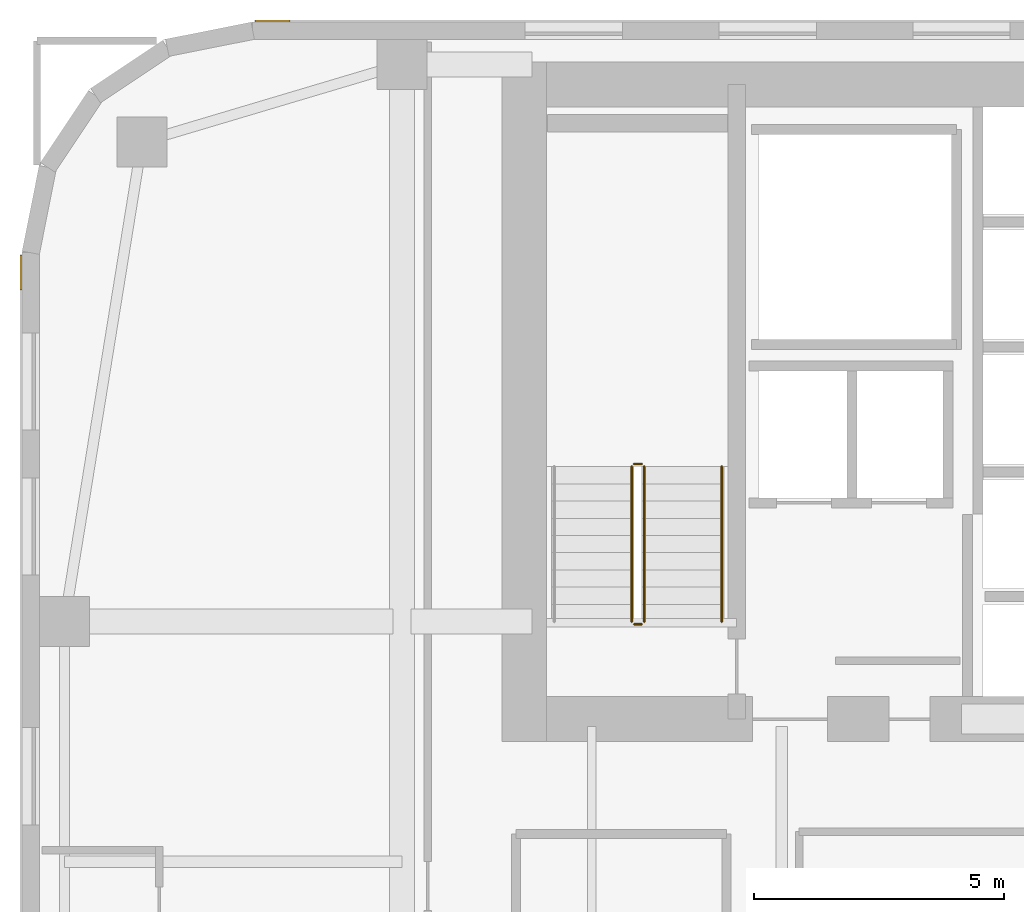
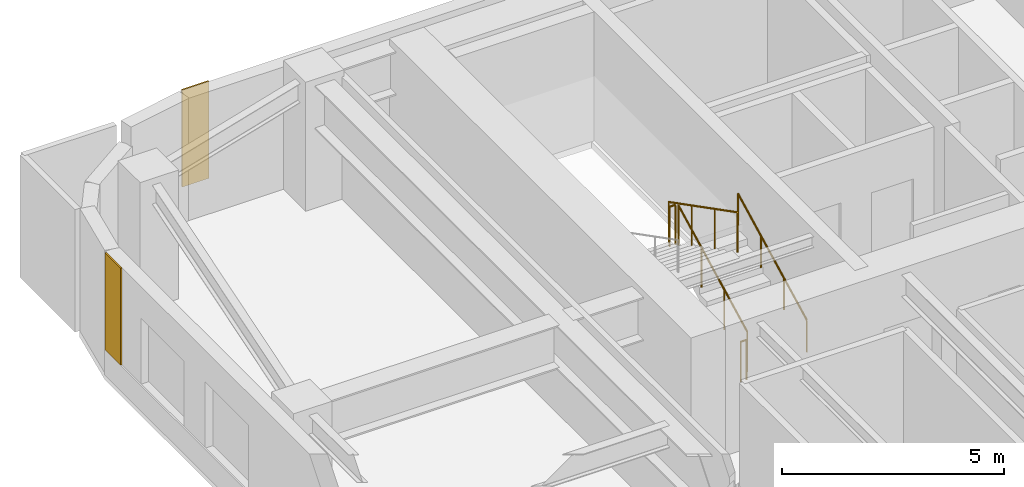
# One storey, part 23 of 25: 5 railings, 2 coverings.
"""IFC4 building model written with IfcOpenShell, lengths in metres."""

from ifc_helpers import new_model, si_unit, direction, frame, origin, origin_2d, place, context, subcontext, project, spatial, polyline, circle, outline, extrude, material, layer, layer_set, type_object, element, save


model = new_model("IFC4")

# Units and contexts
model_context = context("Model", 3, precision=1e-05, world=origin(), true_north=direction((0.0, 1.0)))
body_context = subcontext(model_context, "Body", "Model", "MODEL_VIEW")
ifc_project = project(units=[si_unit("LENGTHUNIT", "METRE"), si_unit("AREAUNIT", "SQUARE_METRE"), si_unit("VOLUMEUNIT", "CUBIC_METRE"), si_unit("PLANEANGLEUNIT", "RADIAN"), si_unit("MASSUNIT", "GRAM", prefix="KILO")], contexts=[model_context])

# Site, building, storey
site_placement = place(None, origin())
site = spatial("IfcSite", under=ifc_project, at=site_placement, CompositionType="ELEMENT")
building_placement = place(site_placement, origin())
building = spatial("IfcBuilding", under=site, at=building_placement, Name="Tolvann Quenvar Hotel", CompositionType="ELEMENT")
storey_placement = place(building_placement, frame((0.0, 0.0, 46.199951171875)))
storey = spatial("IfcBuildingStorey", under=building, at=storey_placement, Name="L10", CompositionType="ELEMENT", Elevation=46.199951171875)

# Coverings
ifc_material_1 = material(Name="Kiln-fired red architectural face brick cladding", Category="masonry")
ifc_layer = layer(ifc_material_1, 0.0400390625)
ifc_layer_set = layer_set([ifc_layer], Name="Kiln-fired red architectural face brick cladding")
covering_type = type_object("IfcCoveringType", Name="COV_CLAD_BRICK_40", PredefinedType="CLADDING", material=ifc_layer_set)
covering_1_placement = place(storey_placement, frame((0.0, 0.0, 0.699951171875)))
element("IfcCovering", 1, at=covering_1_placement, inside=storey, type_object=covering_type, Name="Brick Pier Cladding (L10-E18-P2)", PredefinedType="CLADDING", context=body_context, shape_type="SweptSolid", body=[
    extrude(outline(polyline([(5.3671875, 46.0), (4.667236328125, 46.0), (4.667236328125, 46.0400390625), (5.3671875, 46.0400390625), (5.3671875, 46.0)])), origin(), (0.0, 0.0, 1.0), 2.670166015625),
])
covering_2_placement = place(storey_placement, frame((0.0, 0.0, 0.699951171875)))
element("IfcCovering", 2, at=covering_2_placement, inside=storey, type_object=covering_type, Name="Brick Pier Cladding (L10-E23-P1)", PredefinedType="CLADDING", context=body_context, shape_type="SweptSolid", body=[
    extrude(outline(polyline([(0.0, 41.332763671875), (0.0, 40.6328125), (-0.0400390625, 40.6328125), (-0.0400390625, 41.332763671875), (0.0, 41.332763671875)])), origin(), (0.0, 0.0, 1.0), 2.670166015625),
])

# Railings
ifc_material_2 = material(Name="Brushed 316 stainless steel balustrade and handrail", Category="steel")
railing_type_1 = type_object("IfcRailingType", Name="GUARDRAIL", PredefinedType="GUARDRAIL", material=ifc_material_2)
railing_1_placement = place(storey_placement, frame((12.449951171875, 34.0, 0.177490234375)))
element("IfcRailing", 3, at=railing_1_placement, inside=storey, type_object=railing_type_1, Name="L10 ST-C1 stair guard 1", PredefinedType="GUARDRAIL", context=body_context, shape_type="SweptSolid", body=[
    extrude(circle(Radius=0.02392578125, at=origin_2d()), frame((0.0, 0.0, 1.09619140625), z_axis=(0.0, 0.88919353882, 0.457531256332), x_axis=(-1.0, 0.0, 0.0)), (0.0, 0.0, 1.0), 3.491943359375),
    extrude(circle(Radius=0.02099609375, at=origin_2d()), origin(), (0.0, 0.0, 1.0), 1.072021484375),
    extrude(circle(Radius=0.02099609375, at=origin_2d()), frame((0.0, 1.034912109375, 0.532470703125)), (0.0, 0.0, 1.0), 1.072021484375),
    extrude(circle(Radius=0.02099609375, at=origin_2d()), frame((0.0, 2.070068359375, 1.065185546875)), (0.0, 0.0, 1.0), 1.072021484375),
    extrude(circle(Radius=0.02099609375, at=origin_2d()), frame((0.0, 3.10498046875, 1.59765625)), (0.0, 0.0, 1.0), 1.072021484375),
])
railing_2_placement = place(storey_placement, frame((12.39990234375, 37.155029296875, 1.775146484375)))
element("IfcRailing", 4, at=railing_2_placement, inside=storey, type_object=railing_type_1, Name="L10 ST-C1 stair guard 2", PredefinedType="GUARDRAIL", context=body_context, shape_type="SweptSolid", body=[
    extrude(circle(Radius=0.02392578125, at=origin_2d()), frame((0.0, 0.0, 1.09619140625), z_axis=(-1.0, 0.0, 0.0), x_axis=(0.0, -1.0, 0.0)), (0.0, 0.0, 1.0), 0.14990234375),
    extrude(circle(Radius=0.02099609375, at=origin_2d()), origin(), (0.0, 0.0, 1.0), 1.072021484375),
    extrude(circle(Radius=0.02099609375, at=origin_2d()), frame((-0.14990234375, 0.0, 0.0)), (0.0, 0.0, 1.0), 1.072021484375),
])
railing_3_placement = place(storey_placement, frame((12.199951171875, 37.10498046875, 1.95263671875)))
element("IfcRailing", 5, at=railing_3_placement, inside=storey, type_object=railing_type_1, Name="L10 ST-C1 stair guard 3", PredefinedType="GUARDRAIL", context=body_context, shape_type="SweptSolid", body=[
    extrude(circle(Radius=0.02392578125, at=origin_2d()), frame((0.0, 0.0, 1.09619140625), z_axis=(0.0, -0.889221982265, 0.45747597342), x_axis=(1.0, 0.0, 0.0)), (0.0, 0.0, 1.0), 3.49169921875),
    extrude(circle(Radius=0.02099609375, at=origin_2d()), origin(), (0.0, 0.0, 1.0), 1.072021484375),
    extrude(circle(Radius=0.02099609375, at=origin_2d()), frame((0.0, -1.034912109375, 0.532470703125)), (0.0, 0.0, 1.0), 1.072021484375),
    extrude(circle(Radius=0.02099609375, at=origin_2d()), frame((0.0, -2.070068359375, 1.06494140625)), (0.0, 0.0, 1.0), 1.072021484375),
    extrude(circle(Radius=0.02099609375, at=origin_2d()), frame((0.0, -3.10498046875, 1.597412109375)), (0.0, 0.0, 1.0), 1.072021484375),
])
railing_4_placement = place(storey_placement, frame((12.39990234375, 33.949951171875, 0.0)))
element("IfcRailing", 6, at=railing_4_placement, inside=storey, type_object=railing_type_1, Name="L10 ST-C1 stair guard 4", PredefinedType="GUARDRAIL", context=body_context, shape_type="SweptSolid", body=[
    extrude(circle(Radius=0.02392578125, at=origin_2d()), frame((0.0, 0.0, 1.09619140625), z_axis=(-1.0, 0.0, 0.0), x_axis=(0.0, -1.0, 0.0)), (0.0, 0.0, 1.0), 0.14990234375),
    extrude(circle(Radius=0.02099609375, at=origin_2d()), origin(), (0.0, 0.0, 1.0), 1.072021484375),
    extrude(circle(Radius=0.02099609375, at=origin_2d()), frame((-0.14990234375, 0.0, 0.0)), (0.0, 0.0, 1.0), 1.072021484375),
])
railing_type_2 = type_object("IfcRailingType", Name="HANDRAIL", PredefinedType="HANDRAIL", material=ifc_material_2)
railing_5_placement = place(storey_placement, frame((14.0, 34.0, 0.177490234375)))
element("IfcRailing", 7, at=railing_5_placement, inside=storey, type_object=railing_type_2, Name="L10 ST-C1 stair handrail 1", PredefinedType="HANDRAIL", context=body_context, shape_type="SweptSolid", body=[
    extrude(circle(Radius=0.02392578125, at=origin_2d()), frame((0.0, 0.0, 0.8759765625), z_axis=(0.0, 0.88919353882, 0.457531256332), x_axis=(-1.0, 0.0, 0.0)), (0.0, 0.0, 1.0), 3.491943359375),
    extrude(circle(Radius=0.02099609375, at=origin_2d()), origin(), (0.0, 0.0, 1.0), 0.851806640625),
    extrude(circle(Radius=0.02099609375, at=origin_2d()), frame((0.0, 1.034912109375, 0.532470703125)), (0.0, 0.0, 1.0), 0.851806640625),
    extrude(circle(Radius=0.02099609375, at=origin_2d()), frame((0.0, 2.070068359375, 1.065185546875)), (0.0, 0.0, 1.0), 0.851806640625),
    extrude(circle(Radius=0.02099609375, at=origin_2d()), frame((0.0, 3.10498046875, 1.59765625)), (0.0, 0.0, 1.0), 0.851806640625),
])

save(model, "model.ifc")
